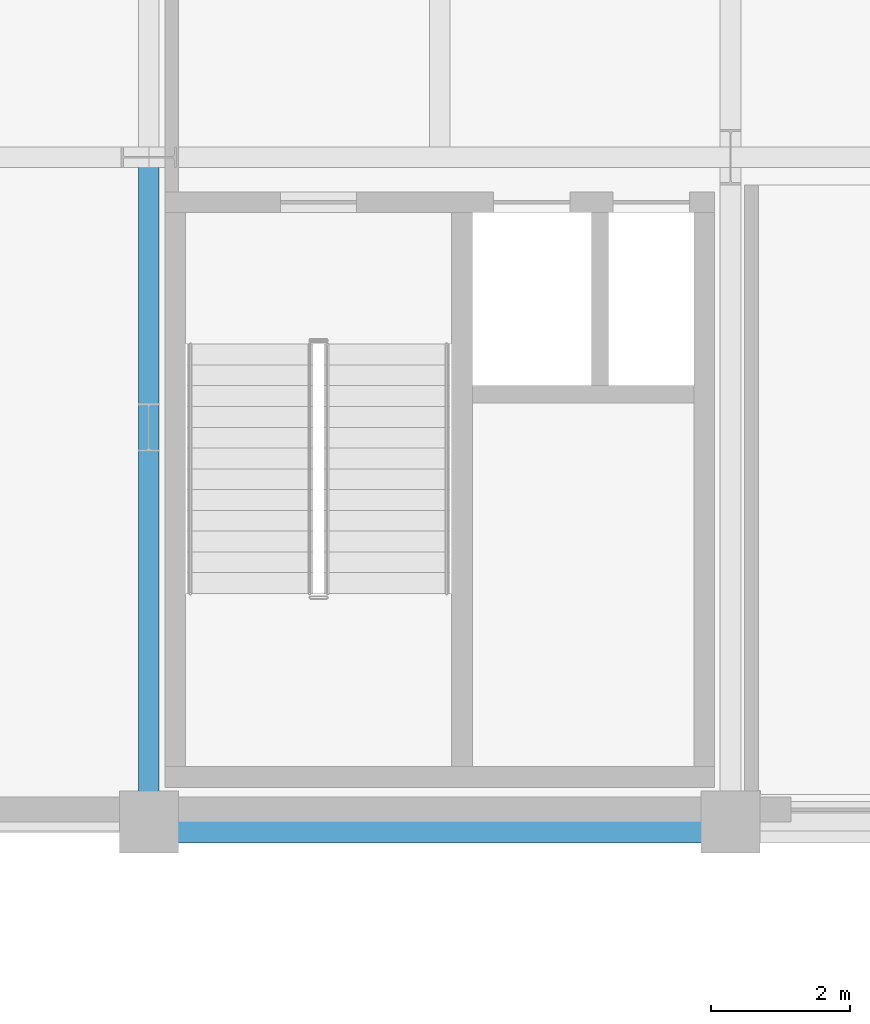
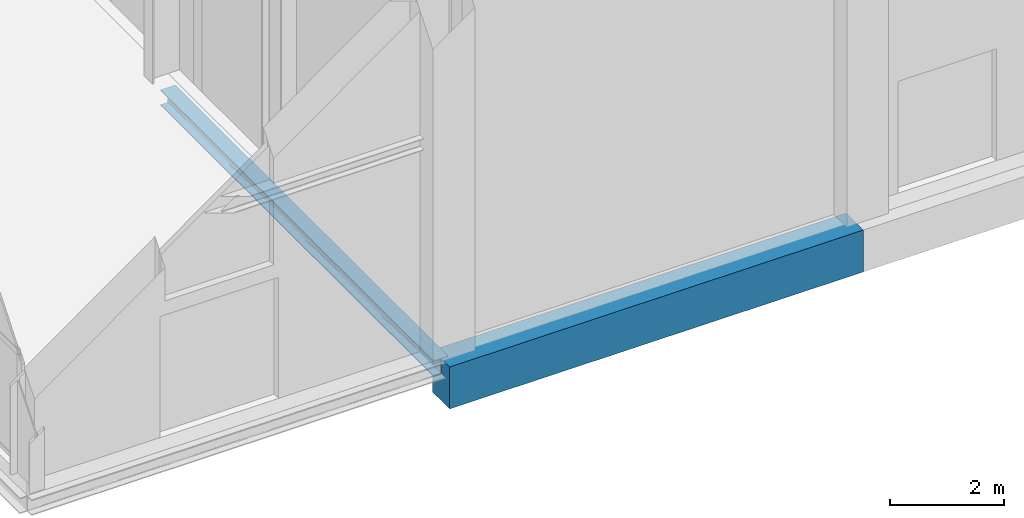
# One storey, part 16 of 131: 2 beams.
"""IFC4 building model written with IfcOpenShell, lengths in metres."""

from ifc_helpers import new_model, si_unit, direction, frame, origin, origin_2d, place, context, subcontext, project, spatial, rectangle, i_section, extrude, material, material_profile, profile_set, type_object, element, save


model = new_model("IFC4")

# Units and contexts
model_context = context("Model", 3, precision=1e-05, world=origin(), true_north=direction((0.0, 1.0)))
body_context = subcontext(model_context, "Body", "Model", "MODEL_VIEW")
ifc_project = project(units=[si_unit("LENGTHUNIT", "METRE"), si_unit("AREAUNIT", "SQUARE_METRE"), si_unit("VOLUMEUNIT", "CUBIC_METRE"), si_unit("PLANEANGLEUNIT", "RADIAN"), si_unit("MASSUNIT", "GRAM", prefix="KILO")], contexts=[model_context])

# Site, building, storey
site_placement = place(None, origin())
site = spatial("IfcSite", under=ifc_project, at=site_placement, CompositionType="ELEMENT")
building_placement = place(site_placement, origin())
building = spatial("IfcBuilding", under=site, at=building_placement, Name="Veltarok Museum of Natural Sciences", CompositionType="ELEMENT")
storey_placement = place(building_placement, origin())
storey = spatial("IfcBuildingStorey", under=building, at=storey_placement, Name="L00", CompositionType="ELEMENT", Elevation=0.0)

# Beams
ifc_material_1 = material(Name="Concrete C40/50", Category="concrete")
ifc_material_profile_1 = material_profile(ifc_material_1, rectangle(XDim=0.60009765625, YDim=0.89990234375, at=origin_2d()), Name="RC 600x900")
ifc_profile_set_1 = profile_set([ifc_material_profile_1], Name="Concrete C40/50")
beam_type_1 = type_object("IfcBeamType", Name="Exposed Cabinet Perimeter Spandrel RC 600x900", PredefinedType="SPANDREL", material=ifc_profile_set_1)
beam_1_placement = place(storey_placement, frame((31.60009765625, 0.0, -0.75), z_axis=(1.0, 0.0, 0.0), x_axis=(0.0, 1.0, 0.0)))
element("IfcBeam", 1, at=beam_1_placement, inside=storey, type_object=beam_type_1, Name="Beam BM-SP01 L00 4-5/A", PredefinedType="SPANDREL", context=body_context, shape_type="SweptSolid", body=[
    extrude(rectangle(XDim=0.60009765625, YDim=0.89990234375, at=origin_2d()), origin(), (0.0, 0.0, 1.0), 8.39990234375),
])
ifc_material_2 = material(Name="Steel S355J2", Category="steel")
ifc_material_profile_2 = material_profile(ifc_material_2, i_section(OverallWidth=0.300048828125, OverallDepth=0.340087890625, WebThickness=0.011962890625, FlangeThickness=0.021484375, FilletRadius=0.027099609375, at=origin_2d()), Name="HEB 340")
ifc_profile_set_2 = profile_set([ifc_material_profile_2], Name="Steel S355J2")
beam_type_2 = type_object("IfcBeamType", Name="Perimeter Bridge Spandrel HEB 340", PredefinedType="SPANDREL", material=ifc_profile_set_2)
beam_2_placement = place(storey_placement, frame((31.60009765625, 0.0, -0.469970703125), z_axis=(0.0, 1.0, 0.0), x_axis=(-1.0, 0.0, 0.0)))
element("IfcBeam", 2, at=beam_2_placement, inside=storey, type_object=beam_type_2, Name="Beam BM-SP07 L00 4/A-B", PredefinedType="SPANDREL", context=body_context, shape_type="SweptSolid", body=[
    extrude(i_section(OverallWidth=0.300048828125, OverallDepth=0.340087890625, WebThickness=0.011962890625, FlangeThickness=0.021484375, FilletRadius=0.027099609375, at=origin_2d()), origin(), (0.0, 0.0, 1.0), 9.60009765625),
])

save(model, "model.ifc")
